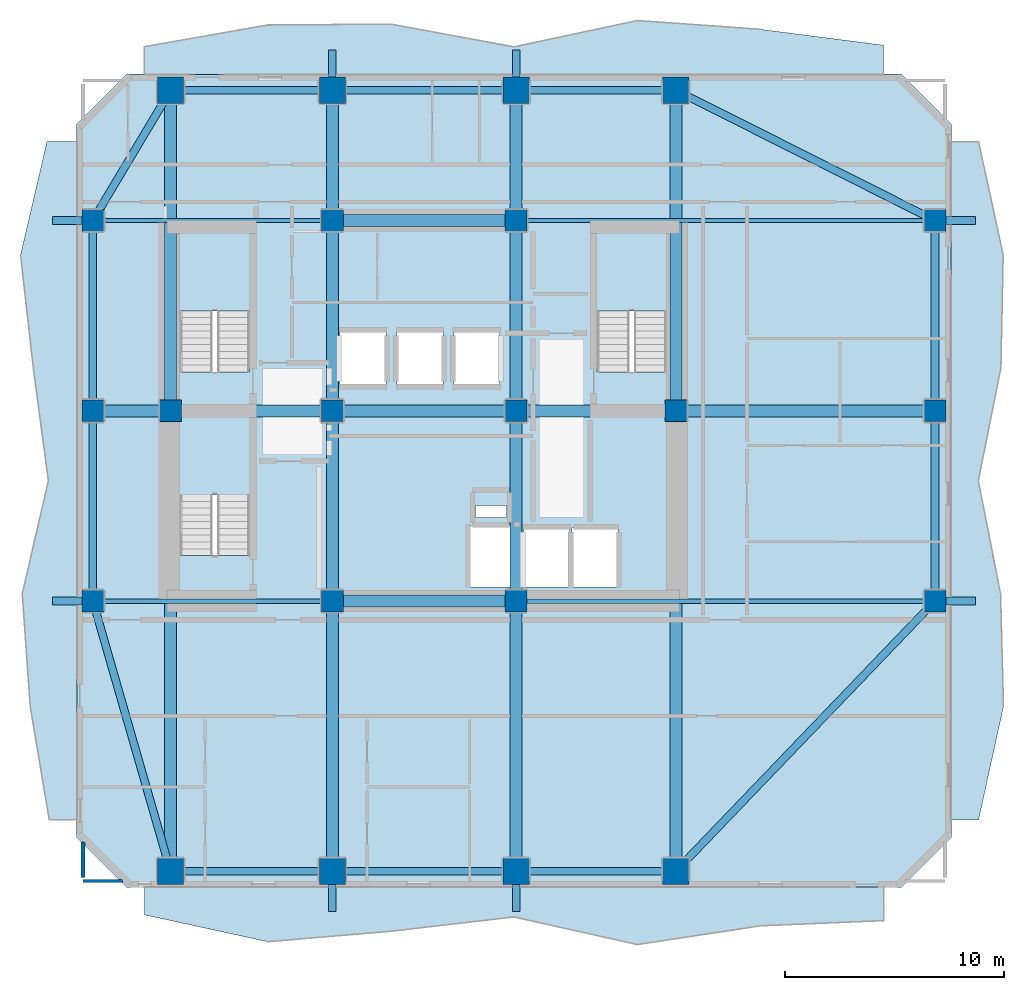
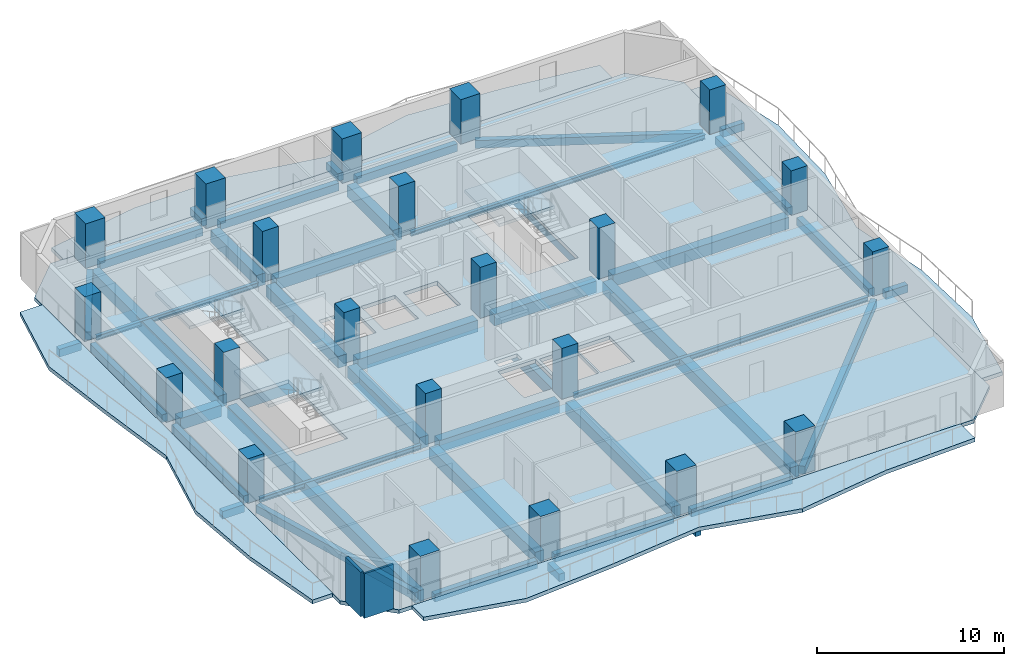
# One storey, part 1 of 9: 45 beams, 22 columns, 8 slabs, 2 walls, 3 elements without a shape of their own.
"""IFC4 building model written with IfcOpenShell, lengths in metres."""

from ifc_helpers import new_model, si_unit, direction, frame, frame_2d, origin, origin_2d, place, context, subcontext, project, spatial, polyline, rectangle, i_section, outline, extrude, material, layer, layer_set, material_profile, profile_set, type_object, element, aggregate, save


model = new_model("IFC4")

# Units and contexts
model_context = context("Model", 3, precision=1e-05, world=origin(), true_north=direction((0.0, 1.0)))
body_context = subcontext(model_context, "Body", "Model", "MODEL_VIEW")
ifc_project = project(units=[si_unit("LENGTHUNIT", "METRE"), si_unit("AREAUNIT", "SQUARE_METRE"), si_unit("VOLUMEUNIT", "CUBIC_METRE"), si_unit("PLANEANGLEUNIT", "RADIAN"), si_unit("MASSUNIT", "GRAM", prefix="KILO")], contexts=[model_context])

# Site, building, storey
site_placement = place(None, origin())
site = spatial("IfcSite", under=ifc_project, at=site_placement, CompositionType="ELEMENT")
building_placement = place(site_placement, origin())
building = spatial("IfcBuilding", under=site, at=building_placement, Name="Solanera Arch Residences", CompositionType="ELEMENT")
storey_placement = place(building_placement, frame((0.0, 0.0, 142.60009765625)))
storey = spatial("IfcBuildingStorey", under=building, at=storey_placement, Name="L41", CompositionType="ELEMENT", Elevation=142.60009765625)

# Columns
ifc_material_1 = material(Name="Concrete C55/67 (f'c = 60 MPa)", Category="concrete")
ifc_material_profile_1 = material_profile(ifc_material_1, rectangle(XDim=1.0, YDim=1.0, at=origin_2d()))
ifc_profile_set_1 = profile_set([ifc_material_profile_1], Name="Concrete C55/67 (f'c = 60 MPa)")
column_type_1 = type_object("IfcColumnType", Name="Structural Column RC-COL-1000X1000", PredefinedType="COLUMN", material=ifc_profile_set_1)
for number, where, z_axis, x_axis, name in (
    (1, (20.800048828125, 22.0, 0.0), (0.0, 0.0, 1.0), (1.0, 0.0, 0.0), "COL-L41-CB-SW"),
    (2, (29.199951171875, 22.0, 0.0), (0.0, 0.0, 1.0), (1.0, 0.0, 0.0), "COL-L41-CB-SE"),
    (3, (20.800048828125, 39.39990234375, 0.0), (0.0, 0.0, 1.0), (1.0, 0.0, 0.0), "COL-L41-CB-NW"),
    (4, (29.199951171875, 39.39990234375, 0.0), (0.0, 0.0, 1.0), (1.0, 0.0, 0.0), "COL-L41-CB-NE"),
    (5, (13.39990234375, 30.699951171875, 0.0), (0.0, 0.0, 1.0), (1.0, 0.0, 0.0), "COL-L41-CB-WW"),
    (6, (36.5, 30.699951171875, 0.0), (0.0, 0.0, 1.0), (1.0, 0.0, 0.0), "COL-L41-CB-EE"),
    (7, (20.800048828125, 30.699951171875, 0.0), (0.0, 0.0, 1.0), (1.0, 0.0, 0.0), "COL-L41-CORE-W"),
    (8, (29.199951171875, 30.699951171875, 0.0), (0.0, 0.0, 1.0), (1.0, 0.0, 0.0), "COL-L41-CORE-E"),
):
    element("IfcColumn", number, at=place(storey_placement, frame(where, z_axis=z_axis, x_axis=x_axis)), inside=storey, type_object=column_type_1, Name=name, PredefinedType="COLUMN", context=body_context, shape_type="SweptSolid", body=[
        extrude(rectangle(XDim=1.0, YDim=1.0, at=origin_2d()), origin(), (0.0, 0.0, 1.0), 3.31982421875),
    ])
for number, where, z_axis, x_axis, name in (
    (9, (9.85009765625, 22.0, 0.0), (0.0, 0.0, 1.0), (1.0, 0.0, 0.0), "COL-L41-TWR-09"),
    (10, (48.35009765625, 22.0, 0.0), (0.0, 0.0, 1.0), (1.0, 0.0, 0.0), "COL-L41-TWR-10"),
    (11, (9.85009765625, 30.699951171875, 0.0), (0.0, 0.0, 1.0), (1.0, 0.0, 0.0), "COL-L41-TWR-11"),
    (12, (48.35009765625, 30.699951171875, 0.0), (0.0, 0.0, 1.0), (1.0, 0.0, 0.0), "COL-L41-TWR-12"),
    (13, (9.85009765625, 39.39990234375, 0.0), (0.0, 0.0, 1.0), (1.0, 0.0, 0.0), "COL-L41-TWR-13"),
    (14, (48.35009765625, 39.39990234375, 0.0), (0.0, 0.0, 1.0), (1.0, 0.0, 0.0), "COL-L41-TWR-14"),
):
    element("IfcColumn", number, at=place(storey_placement, frame(where, z_axis=z_axis, x_axis=x_axis)), inside=storey, type_object=column_type_1, Name=name, PredefinedType="COLUMN", context=body_context, shape_type="SweptSolid", body=[
        extrude(rectangle(XDim=1.0, YDim=1.0, at=origin_2d()), origin(), (0.0, 0.0, 1.0), 2.89990234375),
    ])
ifc_material_2 = material(Name="Concrete C55/67 (f'c = 60 MPa)", Category="concrete")
ifc_material_profile_2 = material_profile(ifc_material_2, rectangle(XDim=1.199951171875, YDim=1.199951171875, at=origin_2d()))
ifc_profile_set_2 = profile_set([ifc_material_profile_2], Name="Concrete C55/67 (f'c = 60 MPa)")
column_type_2 = type_object("IfcColumnType", Name="Structural Column RC-COL-1200X1200", PredefinedType="COLUMN", material=ifc_profile_set_2)
for number, where, z_axis, x_axis, name in (
    (15, (13.39990234375, 9.64990234375, 0.0), (0.0, 0.0, 1.0), (1.0, 0.0, 0.0), "COL-L41-TWR-01"),
    (16, (13.39990234375, 45.35009765625, 0.0), (0.0, 0.0, 1.0), (1.0, 0.0, 0.0), "COL-L41-TWR-02"),
    (17, (20.800048828125, 9.64990234375, 0.0), (0.0, 0.0, 1.0), (1.0, 0.0, 0.0), "COL-L41-TWR-03"),
    (18, (20.800048828125, 45.35009765625, 0.0), (0.0, 0.0, 1.0), (1.0, 0.0, 0.0), "COL-L41-TWR-04"),
    (19, (29.199951171875, 9.64990234375, 0.0), (0.0, 0.0, 1.0), (1.0, 0.0, 0.0), "COL-L41-TWR-05"),
    (20, (29.199951171875, 45.35009765625, 0.0), (0.0, 0.0, 1.0), (1.0, 0.0, 0.0), "COL-L41-TWR-06"),
    (21, (36.5, 9.64990234375, 0.0), (0.0, 0.0, 1.0), (1.0, 0.0, 0.0), "COL-L41-TWR-07"),
    (22, (36.5, 45.35009765625, 0.0), (0.0, 0.0, 1.0), (1.0, 0.0, 0.0), "COL-L41-TWR-08"),
):
    element("IfcColumn", number, at=place(storey_placement, frame(where, z_axis=z_axis, x_axis=x_axis)), inside=storey, type_object=column_type_2, Name=name, PredefinedType="COLUMN", context=body_context, shape_type="SweptSolid", body=[
        extrude(rectangle(XDim=1.199951171875, YDim=1.199951171875, at=origin_2d()), origin(), (0.0, 0.0, 1.0), 2.89990234375),
    ])

# Beams
ifc_material_3 = material(Name="Concrete C40/50 (f'c = 45 MPa)", Category="concrete")
ifc_material_profile_3 = material_profile(ifc_material_3, rectangle(XDim=0.35009765625, YDim=0.5, at=origin_2d()))
ifc_profile_set_3 = profile_set([ifc_material_profile_3], Name="Concrete C40/50 (f'c = 45 MPa)")
beam_type_1 = type_object("IfcBeamType", Name="BM-BALC-RIB", PredefinedType="BEAM", material=ifc_profile_set_3)
for number, where, z_axis, x_axis, name in (
    (23, (20.800048828125, 7.800048828125, -0.5), (0.0, 1.0, 0.0), (-1.0, 0.0, 0.0), "BM-L41-BRIB-S1"),
    (24, (29.199951171875, 7.800048828125, -0.5), (0.0, 1.0, 0.0), (-1.0, 0.0, 0.0), "BM-L41-BRIB-S2"),
    (25, (20.800048828125, 45.949951171875, -0.5), (0.0, 1.0, 0.0), (-1.0, 0.0, 0.0), "BM-L41-BRIB-N1"),
    (26, (29.199951171875, 45.949951171875, -0.5), (0.0, 1.0, 0.0), (-1.0, 0.0, 0.0), "BM-L41-BRIB-N2"),
):
    element("IfcBeam", number, at=place(storey_placement, frame(where, z_axis=z_axis, x_axis=x_axis)), inside=storey, type_object=beam_type_1, Name=name, PredefinedType="BEAM", context=body_context, shape_type="SweptSolid", body=[
        extrude(rectangle(XDim=0.35009765625, YDim=0.5, at=origin_2d()), origin(), (0.0, 0.0, 1.0), 1.25),
    ])
for number, where, z_axis, x_axis, name in (
    (27, (48.85009765625, 22.0, -0.5), (1.0, 0.0, 0.0), (0.0, 1.0, 0.0), "BM-L41-BRIB-E1"),
    (28, (48.85009765625, 39.39990234375, -0.5), (1.0, 0.0, 0.0), (0.0, 1.0, 0.0), "BM-L41-BRIB-E2"),
):
    element("IfcBeam", number, at=place(storey_placement, frame(where, z_axis=z_axis, x_axis=x_axis)), inside=storey, type_object=beam_type_1, Name=name, PredefinedType="BEAM", context=body_context, shape_type="SweptSolid", body=[
        extrude(rectangle(XDim=0.35009765625, YDim=0.5, at=origin_2d()), origin(), (0.0, 0.0, 1.0), 1.349853515625),
    ])
for number, where, z_axis, x_axis, name in (
    (29, (8.0, 22.0, -0.5), (1.0, 0.0, 0.0), (0.0, 1.0, 0.0), "BM-L41-BRIB-W1"),
    (30, (8.0, 39.39990234375, -0.5), (1.0, 0.0, 0.0), (0.0, 1.0, 0.0), "BM-L41-BRIB-W2"),
):
    element("IfcBeam", number, at=place(storey_placement, frame(where, z_axis=z_axis, x_axis=x_axis)), inside=storey, type_object=beam_type_1, Name=name, PredefinedType="BEAM", context=body_context, shape_type="SweptSolid", body=[
        extrude(rectangle(XDim=0.35009765625, YDim=0.5, at=origin_2d()), origin(), (0.0, 0.0, 1.0), 1.35009765625),
    ])
ifc_material_4 = material(Name="Concrete C40/50 (f'c = 45 MPa)", Category="concrete")
ifc_material_profile_4 = material_profile(ifc_material_4, rectangle(XDim=0.550048828125, YDim=0.75, at=origin_2d()))
ifc_profile_set_4 = profile_set([ifc_material_profile_4], Name="Concrete C40/50 (f'c = 45 MPa)")
beam_type_2 = type_object("IfcBeamType", Name="Primary Beam RC-BM-550X750", PredefinedType="BEAM", material=ifc_profile_set_4)
beam_1_placement = place(storey_placement, frame((20.800048828125, 22.50390625, -0.614990234375), z_axis=(0.0, 1.0, 0.0), x_axis=(-1.0, 0.0, 0.0)))
element("IfcBeam", 31, at=beam_1_placement, inside=storey, type_object=beam_type_2, Name="BM-L41-CC-S-208", PredefinedType="BEAM", context=body_context, shape_type="SweptSolid", body=[
    extrude(rectangle(XDim=0.550048828125, YDim=0.75, at=origin_2d()), origin(), (0.0, 0.0, 1.0), 7.692138671875),
])
beam_2_placement = place(storey_placement, frame((20.800048828125, 31.2041015625, -0.614990234375), z_axis=(0.0, 1.0, 0.0), x_axis=(-1.0, 0.0, 0.0)))
element("IfcBeam", 32, at=beam_2_placement, inside=storey, type_object=beam_type_2, Name="BM-L41-CC-N-208", PredefinedType="BEAM", context=body_context, shape_type="SweptSolid", body=[
    extrude(rectangle(XDim=0.550048828125, YDim=0.75, at=origin_2d()), origin(), (0.0, 0.0, 1.0), 7.69189453125),
])
beam_3_placement = place(storey_placement, frame((29.199951171875, 22.50390625, -0.614990234375), z_axis=(0.0, 1.0, 0.0), x_axis=(-1.0, 0.0, 0.0)))
element("IfcBeam", 33, at=beam_3_placement, inside=storey, type_object=beam_type_2, Name="BM-L41-CC-S-292", PredefinedType="BEAM", context=body_context, shape_type="SweptSolid", body=[
    extrude(rectangle(XDim=0.550048828125, YDim=0.75, at=origin_2d()), origin(), (0.0, 0.0, 1.0), 7.692138671875),
])
beam_4_placement = place(storey_placement, frame((29.199951171875, 31.2041015625, -0.614990234375), z_axis=(0.0, 1.0, 0.0), x_axis=(-1.0, 0.0, 0.0)))
element("IfcBeam", 34, at=beam_4_placement, inside=storey, type_object=beam_type_2, Name="BM-L41-CC-N-292", PredefinedType="BEAM", context=body_context, shape_type="SweptSolid", body=[
    extrude(rectangle(XDim=0.550048828125, YDim=0.75, at=origin_2d()), origin(), (0.0, 0.0, 1.0), 7.69189453125),
])
for number, where, z_axis, x_axis, name in (
    (35, (21.303955078125, 22.0, -0.614990234375), (1.0, 0.0, 0.0), (0.0, 1.0, 0.0), "BM-L41-CC-M-220"),
    (36, (21.303955078125, 30.699951171875, -0.614990234375), (1.0, 0.0, 0.0), (0.0, 1.0, 0.0), "BM-L41-CC-M-307"),
    (37, (21.303955078125, 39.39990234375, -0.614990234375), (1.0, 0.0, 0.0), (0.0, 1.0, 0.0), "BM-L41-CC-M-394"),
):
    element("IfcBeam", number, at=place(storey_placement, frame(where, z_axis=z_axis, x_axis=x_axis)), inside=storey, type_object=beam_type_2, Name=name, PredefinedType="BEAM", context=body_context, shape_type="SweptSolid", body=[
        extrude(rectangle(XDim=0.550048828125, YDim=0.75, at=origin_2d()), origin(), (0.0, 0.0, 1.0), 7.39208984375),
    ])
beam_5_placement = place(storey_placement, frame((13.904052734375, 30.699951171875, -0.614990234375), z_axis=(1.0, 0.0, 0.0), x_axis=(0.0, 1.0, 0.0)))
element("IfcBeam", 38, at=beam_5_placement, inside=storey, type_object=beam_type_2, Name="BM-L41-CC-W", PredefinedType="BEAM", context=body_context, shape_type="SweptSolid", body=[
    extrude(rectangle(XDim=0.550048828125, YDim=0.75, at=origin_2d()), origin(), (0.0, 0.0, 1.0), 6.391845703125),
])
beam_6_placement = place(storey_placement, frame((29.7041015625, 30.699951171875, -0.614990234375), z_axis=(1.0, 0.0, 0.0), x_axis=(0.0, 1.0, 0.0)))
element("IfcBeam", 39, at=beam_6_placement, inside=storey, type_object=beam_type_2, Name="BM-L41-CC-E", PredefinedType="BEAM", context=body_context, shape_type="SweptSolid", body=[
    extrude(rectangle(XDim=0.550048828125, YDim=0.75, at=origin_2d()), origin(), (0.0, 0.0, 1.0), 6.2919921875),
])
beam_7_placement = place(storey_placement, frame((20.800048828125, 10.18994140625, -0.614990234375), z_axis=(0.0, 1.0, 0.0), x_axis=(-1.0, 0.0, 0.0)))
element("IfcBeam", 40, at=beam_7_placement, inside=storey, type_object=beam_type_2, Name="BM-L41-RAD-S-208", PredefinedType="BEAM", context=body_context, shape_type="SweptSolid", body=[
    extrude(rectangle(XDim=0.550048828125, YDim=0.75, at=origin_2d()), origin(), (0.0, 0.0, 1.0), 11.30615234375),
])
beam_8_placement = place(storey_placement, frame((20.800048828125, 39.904052734375, -0.614990234375), z_axis=(0.0, 1.0, 0.0), x_axis=(-1.0, 0.0, 0.0)))
element("IfcBeam", 41, at=beam_8_placement, inside=storey, type_object=beam_type_2, Name="BM-L41-RAD-N-208", PredefinedType="BEAM", context=body_context, shape_type="SweptSolid", body=[
    extrude(rectangle(XDim=0.550048828125, YDim=0.75, at=origin_2d()), origin(), (0.0, 0.0, 1.0), 4.906005859375),
])
beam_9_placement = place(storey_placement, frame((29.199951171875, 10.18994140625, -0.614990234375), z_axis=(0.0, 1.0, 0.0), x_axis=(-1.0, 0.0, 0.0)))
element("IfcBeam", 42, at=beam_9_placement, inside=storey, type_object=beam_type_2, Name="BM-L41-RAD-S-292", PredefinedType="BEAM", context=body_context, shape_type="SweptSolid", body=[
    extrude(rectangle(XDim=0.550048828125, YDim=0.75, at=origin_2d()), origin(), (0.0, 0.0, 1.0), 11.30615234375),
])
beam_10_placement = place(storey_placement, frame((29.199951171875, 39.904052734375, -0.614990234375), z_axis=(0.0, 1.0, 0.0), x_axis=(-1.0, 0.0, 0.0)))
element("IfcBeam", 43, at=beam_10_placement, inside=storey, type_object=beam_type_2, Name="BM-L41-RAD-N-292", PredefinedType="BEAM", context=body_context, shape_type="SweptSolid", body=[
    extrude(rectangle(XDim=0.550048828125, YDim=0.75, at=origin_2d()), origin(), (0.0, 0.0, 1.0), 4.906005859375),
])
beam_11_placement = place(storey_placement, frame((13.39990234375, 10.18994140625, -0.614990234375), z_axis=(0.0, 1.0, 0.0), x_axis=(-1.0, 0.0, 0.0)))
element("IfcBeam", 44, at=beam_11_placement, inside=storey, type_object=beam_type_2, Name="BM-L41-RAD-OS-134", PredefinedType="BEAM", context=body_context, shape_type="SweptSolid", body=[
    extrude(rectangle(XDim=0.550048828125, YDim=0.75, at=origin_2d()), origin(), (0.0, 0.0, 1.0), 20.006103515625),
])
beam_12_placement = place(storey_placement, frame((13.39990234375, 31.2041015625, -0.614990234375), z_axis=(0.0, 1.0, 0.0), x_axis=(-1.0, 0.0, 0.0)))
element("IfcBeam", 45, at=beam_12_placement, inside=storey, type_object=beam_type_2, Name="BM-L41-RAD-ON-134", PredefinedType="BEAM", context=body_context, shape_type="SweptSolid", body=[
    extrude(rectangle(XDim=0.550048828125, YDim=0.75, at=origin_2d()), origin(), (0.0, 0.0, 1.0), 13.60595703125),
])
beam_13_placement = place(storey_placement, frame((36.5, 10.18994140625, -0.614990234375), z_axis=(0.0, 1.0, 0.0), x_axis=(-1.0, 0.0, 0.0)))
element("IfcBeam", 46, at=beam_13_placement, inside=storey, type_object=beam_type_2, Name="BM-L41-RAD-OS-365", PredefinedType="BEAM", context=body_context, shape_type="SweptSolid", body=[
    extrude(rectangle(XDim=0.550048828125, YDim=0.75, at=origin_2d()), origin(), (0.0, 0.0, 1.0), 20.006103515625),
])
beam_14_placement = place(storey_placement, frame((36.5, 31.2041015625, -0.614990234375), z_axis=(0.0, 1.0, 0.0), x_axis=(-1.0, 0.0, 0.0)))
element("IfcBeam", 47, at=beam_14_placement, inside=storey, type_object=beam_type_2, Name="BM-L41-RAD-ON-365", PredefinedType="BEAM", context=body_context, shape_type="SweptSolid", body=[
    extrude(rectangle(XDim=0.550048828125, YDim=0.75, at=origin_2d()), origin(), (0.0, 0.0, 1.0), 13.60595703125),
])
beam_15_placement = place(storey_placement, frame((10.35400390625, 30.699951171875, -0.614990234375), z_axis=(1.0, 0.0, 0.0), x_axis=(0.0, 1.0, 0.0)))
element("IfcBeam", 48, at=beam_15_placement, inside=storey, type_object=beam_type_2, Name="BM-L41-RAD-MW", PredefinedType="BEAM", context=body_context, shape_type="SweptSolid", body=[
    extrude(rectangle(XDim=0.550048828125, YDim=0.75, at=origin_2d()), origin(), (0.0, 0.0, 1.0), 2.5419921875),
])
beam_16_placement = place(storey_placement, frame((37.00390625, 30.699951171875, -0.614990234375), z_axis=(1.0, 0.0, 0.0), x_axis=(0.0, 1.0, 0.0)))
element("IfcBeam", 49, at=beam_16_placement, inside=storey, type_object=beam_type_2, Name="BM-L41-RAD-ME", PredefinedType="BEAM", context=body_context, shape_type="SweptSolid", body=[
    extrude(rectangle(XDim=0.550048828125, YDim=0.75, at=origin_2d()), origin(), (0.0, 0.0, 1.0), 10.842041015625),
])
ifc_material_5 = material(Name="Steel S355 (ASTM A992 / A572 Grade 50)", Category="steel")
ifc_material_profile_5 = material_profile(ifc_material_5, i_section(OverallWidth=0.202880859375, OverallDepth=0.302978515625, WebThickness=0.007568359375, FlangeThickness=0.01318359375, at=origin_2d()))
ifc_profile_set_5 = profile_set([ifc_material_profile_5], Name="Steel S355 (ASTM A992 / A572 Grade 50)")
beam_type_3 = type_object("IfcBeamType", Name="Secondary Joist W310X60", PredefinedType="JOIST", material=ifc_profile_set_5)
beam_17_placement = place(storey_placement, frame((10.35400390625, 22.0, -0.39111328125), z_axis=(1.0, 0.0, 0.0), x_axis=(0.0, 1.0, 0.0)))
element("IfcBeam", 50, at=beam_17_placement, inside=storey, type_object=beam_type_3, Name="BM-L41-RAD-W-220", PredefinedType="JOIST", context=body_context, shape_type="SweptSolid", body=[
    extrude(i_section(OverallWidth=0.202880859375, OverallDepth=0.302978515625, WebThickness=0.007568359375, FlangeThickness=0.01318359375, at=origin_2d()), origin(), (0.0, 0.0, 1.0), 9.94189453125),
])
beam_18_placement = place(storey_placement, frame((29.7041015625, 22.0, -0.39111328125), z_axis=(1.0, 0.0, 0.0), x_axis=(0.0, 1.0, 0.0)))
element("IfcBeam", 51, at=beam_18_placement, inside=storey, type_object=beam_type_3, Name="BM-L41-RAD-E-220", PredefinedType="JOIST", context=body_context, shape_type="SweptSolid", body=[
    extrude(i_section(OverallWidth=0.202880859375, OverallDepth=0.302978515625, WebThickness=0.007568359375, FlangeThickness=0.01318359375, at=origin_2d()), origin(), (0.0, 0.0, 1.0), 18.141845703125),
])
beam_19_placement = place(storey_placement, frame((10.35400390625, 39.39990234375, -0.39111328125), z_axis=(1.0, 0.0, 0.0), x_axis=(0.0, 1.0, 0.0)))
element("IfcBeam", 52, at=beam_19_placement, inside=storey, type_object=beam_type_3, Name="BM-L41-RAD-W-394", PredefinedType="JOIST", context=body_context, shape_type="SweptSolid", body=[
    extrude(i_section(OverallWidth=0.202880859375, OverallDepth=0.302978515625, WebThickness=0.007568359375, FlangeThickness=0.01318359375, at=origin_2d()), origin(), (0.0, 0.0, 1.0), 9.94189453125),
])
beam_20_placement = place(storey_placement, frame((29.7041015625, 39.39990234375, -0.39111328125), z_axis=(1.0, 0.0, 0.0), x_axis=(0.0, 1.0, 0.0)))
element("IfcBeam", 53, at=beam_20_placement, inside=storey, type_object=beam_type_3, Name="BM-L41-RAD-E-394", PredefinedType="JOIST", context=body_context, shape_type="SweptSolid", body=[
    extrude(i_section(OverallWidth=0.202880859375, OverallDepth=0.302978515625, WebThickness=0.007568359375, FlangeThickness=0.01318359375, at=origin_2d()), origin(), (0.0, 0.0, 1.0), 18.141845703125),
])
ifc_material_6 = material(Name="Concrete C40/50 (f'c = 45 MPa)", Category="concrete")
ifc_material_profile_6 = material_profile(ifc_material_6, rectangle(XDim=0.35009765625, YDim=0.5, at=origin_2d()))
ifc_profile_set_6 = profile_set([ifc_material_profile_6], Name="Concrete C40/50 (f'c = 45 MPa)")
beam_type_4 = type_object("IfcBeamType", Name="Spandrel Beam RC-BM-350X500", PredefinedType="SPANDREL", material=ifc_profile_set_6)
for number, where, z_axis, x_axis, name in (
    (54, (13.93994140625, 9.64990234375, -0.489990234375), (1.0, 0.0, 0.0), (0.0, 1.0, 0.0), "BM-L41-SPN-S-1"),
    (55, (13.93994140625, 45.35009765625, -0.489990234375), (1.0, 0.0, 0.0), (0.0, 1.0, 0.0), "BM-L41-SPN-N-1"),
):
    element("IfcBeam", number, at=place(storey_placement, frame(where, z_axis=z_axis, x_axis=x_axis)), inside=storey, type_object=beam_type_4, Name=name, PredefinedType="SPANDREL", context=body_context, shape_type="SweptSolid", body=[
        extrude(rectangle(XDim=0.35009765625, YDim=0.5, at=origin_2d()), origin(), (0.0, 0.0, 1.0), 6.320068359375),
    ])
for number, where, z_axis, x_axis, name in (
    (56, (21.340087890625, 9.64990234375, -0.489990234375), (1.0, 0.0, 0.0), (0.0, 1.0, 0.0), "BM-L41-SPN-S-2"),
    (57, (21.340087890625, 45.35009765625, -0.489990234375), (1.0, 0.0, 0.0), (0.0, 1.0, 0.0), "BM-L41-SPN-N-2"),
):
    element("IfcBeam", number, at=place(storey_placement, frame(where, z_axis=z_axis, x_axis=x_axis)), inside=storey, type_object=beam_type_4, Name=name, PredefinedType="SPANDREL", context=body_context, shape_type="SweptSolid", body=[
        extrude(rectangle(XDim=0.35009765625, YDim=0.5, at=origin_2d()), origin(), (0.0, 0.0, 1.0), 7.31982421875),
    ])
for number, where, z_axis, x_axis, name in (
    (58, (29.739990234375, 9.64990234375, -0.489990234375), (1.0, 0.0, 0.0), (0.0, 1.0, 0.0), "BM-L41-SPN-S-3"),
    (59, (29.739990234375, 45.35009765625, -0.489990234375), (1.0, 0.0, 0.0), (0.0, 1.0, 0.0), "BM-L41-SPN-N-3"),
):
    element("IfcBeam", number, at=place(storey_placement, frame(where, z_axis=z_axis, x_axis=x_axis)), inside=storey, type_object=beam_type_4, Name=name, PredefinedType="SPANDREL", context=body_context, shape_type="SweptSolid", body=[
        extrude(rectangle(XDim=0.35009765625, YDim=0.5, at=origin_2d()), origin(), (0.0, 0.0, 1.0), 6.219970703125),
    ])
for number, where, z_axis, x_axis, name in (
    (60, (9.85009765625, 22.50390625, -0.489990234375), (0.0, 1.0, 0.0), (-1.0, 0.0, 0.0), "BM-L41-SPN-W-1"),
    (61, (48.35009765625, 22.50390625, -0.489990234375), (0.0, 1.0, 0.0), (-1.0, 0.0, 0.0), "BM-L41-SPN-E-1"),
):
    element("IfcBeam", number, at=place(storey_placement, frame(where, z_axis=z_axis, x_axis=x_axis)), inside=storey, type_object=beam_type_4, Name=name, PredefinedType="SPANDREL", context=body_context, shape_type="SweptSolid", body=[
        extrude(rectangle(XDim=0.35009765625, YDim=0.5, at=origin_2d()), origin(), (0.0, 0.0, 1.0), 7.692138671875),
    ])
for number, where, z_axis, x_axis, name in (
    (62, (9.85009765625, 31.2041015625, -0.489990234375), (0.0, 1.0, 0.0), (-1.0, 0.0, 0.0), "BM-L41-SPN-W-2"),
    (63, (48.35009765625, 31.2041015625, -0.489990234375), (0.0, 1.0, 0.0), (-1.0, 0.0, 0.0), "BM-L41-SPN-E-2"),
):
    element("IfcBeam", number, at=place(storey_placement, frame(where, z_axis=z_axis, x_axis=x_axis)), inside=storey, type_object=beam_type_4, Name=name, PredefinedType="SPANDREL", context=body_context, shape_type="SweptSolid", body=[
        extrude(rectangle(XDim=0.35009765625, YDim=0.5, at=origin_2d()), origin(), (0.0, 0.0, 1.0), 7.69189453125),
    ])
beam_21_placement = place(storey_placement, frame((13.2509765625, 10.1689453125, -0.489990234375), z_axis=(-0.276252894432, 0.961084979759, 0.0), x_axis=(-0.961084979759, -0.276252894432, 0.0)))
element("IfcBeam", 64, at=beam_21_placement, inside=storey, type_object=beam_type_4, Name="BM-L41-SPN-SW", PredefinedType="SPANDREL", context=body_context, shape_type="SweptSolid", body=[
    extrude(rectangle(XDim=0.35009765625, YDim=0.5, at=origin_2d()), origin(), (0.0, 0.0, 1.0), 11.785888671875),
])
beam_22_placement = place(storey_placement, frame((13.123046875, 44.885986328125, -0.489990234375), z_axis=(-0.512345287807, -0.858779544506, 0.0), x_axis=(0.858779544506, -0.512345287807, 0.0)))
element("IfcBeam", 65, at=beam_22_placement, inside=storey, type_object=beam_type_4, Name="BM-L41-SPN-NW", PredefinedType="SPANDREL", context=body_context, shape_type="SweptSolid", body=[
    extrude(rectangle(XDim=0.35009765625, YDim=0.5, at=origin_2d()), origin(), (0.0, 0.0, 1.0), 5.847900390625),
])
beam_23_placement = place(storey_placement, frame((36.8740234375, 10.0400390625, -0.489990234375), z_axis=(0.692362566924, 0.721549773697, 0.0), x_axis=(-0.721549773697, 0.692362566924, 0.0)))
element("IfcBeam", 66, at=beam_23_placement, inside=storey, type_object=beam_type_4, Name="BM-L41-SPN-SE", PredefinedType="SPANDREL", context=body_context, shape_type="SweptSolid", body=[
    extrude(rectangle(XDim=0.35009765625, YDim=0.5, at=origin_2d()), origin(), (0.0, 0.0, 1.0), 16.034912109375),
])
beam_24_placement = place(storey_placement, frame((36.98291015625, 45.10791015625, -0.489990234375), z_axis=(0.893644053725, -0.448776453529, 0.0), x_axis=(0.448776453529, 0.893644053725, 0.0)))
element("IfcBeam", 67, at=beam_24_placement, inside=storey, type_object=beam_type_4, Name="BM-L41-SPN-NE", PredefinedType="SPANDREL", context=body_context, shape_type="SweptSolid", body=[
    extrude(rectangle(XDim=0.35009765625, YDim=0.5, at=origin_2d()), origin(), (0.0, 0.0, 1.0), 12.179443359375),
])

# Slabs
ifc_material_7 = material(Name="Concrete C40/50 (f'c = 45 MPa)", Category="concrete")
ifc_layer_1 = layer(ifc_material_7, 0.25)
ifc_layer_set_1 = layer_set([ifc_layer_1], Name="Concrete C40/50 (f'c = 45 MPa)")
slab_type_1 = type_object("IfcSlabType", Name="Balcony Slab 250", PredefinedType="FLOOR", material=ifc_layer_set_1)
slab_1_placement = place(storey_placement, frame((0.0, 0.0, -0.25)))
element("IfcSlab", 68, at=slab_1_placement, inside=storey, type_object=slab_type_1, Name="L41 S Rippling Brise-Soleil Balcony Slab", PredefinedType="FLOOR", context=body_context, shape_type="SweptSolid", body=[
    extrude(outline(polyline([(12.199951171875, 7.654052734375), (17.8330078125, 6.426025390625), (23.467041015625, 6.904052734375), (29.10009765625, 7.56005859375), (34.73291015625, 6.297119140625), (40.366943359375, 7.153076171875), (46.0, 7.39208984375), (46.0, 8.919921875), (12.199951171875, 8.919921875), (12.199951171875, 7.654052734375)])), origin(), (0.0, 0.0, 1.0), 0.25),
])
slab_2_placement = place(storey_placement, frame((0.0, 0.0, -0.25)))
element("IfcSlab", 69, at=slab_2_placement, inside=storey, type_object=slab_type_1, Name="L41 N Rippling Brise-Soleil Balcony Slab", PredefinedType="FLOOR", context=body_context, shape_type="SweptSolid", body=[
    extrude(outline(polyline([(46.0, 47.416015625), (40.366943359375, 48.14208984375), (34.73291015625, 48.5419921875), (29.10009765625, 47.3369140625), (23.467041015625, 48.37890625), (17.8330078125, 48.3369140625), (12.199951171875, 47.345947265625), (12.199951171875, 46.080078125), (46.0, 46.080078125), (46.0, 47.416015625)])), origin(), (0.0, 0.0, 1.0), 0.25),
])
slab_3_placement = place(storey_placement, frame((0.0, 0.0, -0.25)))
element("IfcSlab", 70, at=slab_3_placement, inside=storey, type_object=slab_type_1, Name="L41 E Rippling Brise-Soleil Balcony Slab", PredefinedType="FLOOR", context=body_context, shape_type="SweptSolid", body=[
    extrude(outline(polyline([(50.345947265625, 12.0), (51.47998046875, 17.1669921875), (51.345947265625, 22.3330078125), (50.330078125, 27.5), (51.362060546875, 32.6669921875), (51.465087890625, 37.8330078125), (50.342041015625, 43.0), (49.080078125, 43.0), (49.080078125, 12.0), (50.345947265625, 12.0)])), origin(), (0.0, 0.0, 1.0), 0.25),
])
slab_4_placement = place(storey_placement, frame((0.0, 0.0, -0.25)))
element("IfcSlab", 71, at=slab_4_placement, inside=storey, type_object=slab_type_1, Name="L41 W Rippling Brise-Soleil Balcony Slab", PredefinedType="FLOOR", context=body_context, shape_type="SweptSolid", body=[
    extrude(outline(polyline([(7.7451171875, 43.0), (6.541015625, 37.8330078125), (7.123046875, 32.6669921875), (7.81201171875, 27.5), (6.6201171875, 22.3330078125), (6.985107421875, 17.1669921875), (7.85400390625, 12.0), (9.1201171875, 12.0), (9.1201171875, 43.0), (7.7451171875, 43.0)])), origin(), (0.0, 0.0, 1.0), 0.25),
])

# Stair, slab
ifc_material_8 = material(Name="Concrete C40/50 (f'c = 45 MPa)", Category="concrete")
stair_type = type_object("IfcStairType", Name="Tower Dogleg Exit Stair 1480", PredefinedType="HALF_TURN_STAIR", material=ifc_material_8)
stair_1_placement = place(storey_placement, origin())
stair_1 = element("IfcStair", 72, at=stair_1_placement, inside=storey, type_object=stair_type, Name="L41 Tower Core Exit Stair 1", PredefinedType="HALF_TURN_STAIR")
ifc_material_9 = material(Name="Concrete C40/50 (f'c = 45 MPa)", Category="concrete")
ifc_layer_2 = layer(ifc_material_9, 0.199951171875)
ifc_layer_set_2 = layer_set([ifc_layer_2], Name="Concrete C40/50 (f'c = 45 MPa)")
slab_type_2 = type_object("IfcSlabType", Name="Stair Half-Landing Slab 200", PredefinedType="LANDING", material=ifc_layer_set_2)
slab_5_placement = place(storey_placement, frame((0.0, 0.0, 1.4599609375)))
slab_5 = element("IfcSlab", 73, at=slab_5_placement, type_object=slab_type_2, Name="ST-T1 landing 1", PredefinedType="LANDING", context=body_context, shape_type="SweptSolid", body=[
    extrude(outline(polyline([(17.1201171875, 35.260009765625), (17.1201171875, 38.919921875), (13.719970703125, 38.919921875), (13.719970703125, 35.260009765625), (17.1201171875, 35.260009765625)])), origin(), (0.0, 0.0, 1.0), 0.199951171875),
])
aggregate(stair_1, [slab_5])

stair_2_placement = place(storey_placement, origin())
stair_2 = element("IfcStair", 74, at=stair_2_placement, inside=storey, type_object=stair_type, Name="L41 Tower Core Exit Stair 2", PredefinedType="HALF_TURN_STAIR")
slab_6_placement = place(storey_placement, frame((0.0, 0.0, 1.4599609375)))
slab_6 = element("IfcSlab", 75, at=slab_6_placement, type_object=slab_type_2, Name="ST-T2 landing 1", PredefinedType="LANDING", context=body_context, shape_type="SweptSolid", body=[
    extrude(outline(polyline([(36.179931640625, 35.260009765625), (36.179931640625, 38.919921875), (32.780029296875, 38.919921875), (32.780029296875, 35.260009765625), (36.179931640625, 35.260009765625)])), origin(), (0.0, 0.0, 1.0), 0.199951171875),
])
aggregate(stair_2, [slab_6])

stair_3_placement = place(storey_placement, origin())
stair_3 = element("IfcStair", 76, at=stair_3_placement, inside=storey, type_object=stair_type, Name="L41 Tower Core Exit Stair 3", PredefinedType="HALF_TURN_STAIR")
slab_7_placement = place(storey_placement, frame((0.0, 0.0, 1.4599609375)))
slab_7 = element("IfcSlab", 77, at=slab_7_placement, type_object=slab_type_2, Name="ST-T3 landing 1", PredefinedType="LANDING", context=body_context, shape_type="SweptSolid", body=[
    extrude(outline(polyline([(17.1201171875, 26.860107421875), (17.1201171875, 30.52001953125), (13.719970703125, 30.52001953125), (13.719970703125, 26.860107421875), (17.1201171875, 26.860107421875)])), origin(), (0.0, 0.0, 1.0), 0.199951171875),
])
aggregate(stair_3, [slab_7])

# Slab
ifc_material_10 = material(Name="Concrete C40/50 (f'c = 45 MPa)", Category="concrete")
ifc_layer_3 = layer(ifc_material_10, 0.239990234375)
ifc_layer_set_3 = layer_set([ifc_layer_3], Name="Concrete C40/50 (f'c = 45 MPa)")
slab_type_3 = type_object("IfcSlabType", Name="Suspended Floor Slab Post-Tensioned 240", PredefinedType="FLOOR", material=ifc_layer_set_3)
slab_8_placement = place(storey_placement, frame((0.0, 0.0, -0.239990234375)))
element("IfcSlab", 78, at=slab_8_placement, inside=storey, type_object=slab_type_3, Name="L41 Tower Post-Tensioned Floor Slab", PredefinedType="FLOOR", context=body_context, shape_type="SweptSolid", body=[
    extrude(outline(polyline([(11.39990234375, 8.89990234375), (46.800048828125, 8.89990234375), (49.10009765625, 11.199951171875), (49.10009765625, 43.800048828125), (46.800048828125, 46.10009765625), (11.39990234375, 46.10009765625), (9.10009765625, 43.800048828125), (9.10009765625, 11.199951171875), (11.39990234375, 8.89990234375)]), holes=[polyline([(13.840087890625, 32.48291015625), (13.840087890625, 38.800048828125), (17.0, 38.800048828125), (17.0, 32.48291015625), (13.840087890625, 32.48291015625)]), polyline([(32.89990234375, 32.48291015625), (32.89990234375, 38.800048828125), (36.06005859375, 38.800048828125), (36.06005859375, 32.48291015625), (32.89990234375, 32.48291015625)]), polyline([(13.840087890625, 24.0830078125), (13.840087890625, 30.39990234375), (17.0, 30.39990234375), (17.0, 24.0830078125), (13.840087890625, 24.0830078125)]), polyline([(21.14990234375, 34.35009765625), (23.25, 34.35009765625), (23.25, 31.85009765625), (21.14990234375, 31.85009765625), (21.14990234375, 34.35009765625)]), polyline([(23.75, 34.35009765625), (25.85009765625, 34.35009765625), (25.85009765625, 31.85009765625), (23.75, 31.85009765625), (23.75, 34.35009765625)]), polyline([(26.35009765625, 34.35009765625), (28.449951171875, 34.35009765625), (28.449951171875, 31.85009765625), (26.35009765625, 31.85009765625), (26.35009765625, 34.35009765625)]), polyline([(29.550048828125, 25.35009765625), (31.64990234375, 25.35009765625), (31.64990234375, 22.64990234375), (29.550048828125, 22.64990234375), (29.550048828125, 25.35009765625)]), polyline([(31.75, 25.35009765625), (33.85009765625, 25.35009765625), (33.85009765625, 22.64990234375), (31.75, 22.64990234375), (31.75, 25.35009765625)]), polyline([(27.050048828125, 25.449951171875), (29.35009765625, 25.449951171875), (29.35009765625, 22.64990234375), (27.050048828125, 22.64990234375), (27.050048828125, 25.449951171875)]), polyline([(27.340087890625, 26.3798828125), (28.760009765625, 26.3798828125), (28.760009765625, 25.820068359375), (27.340087890625, 25.820068359375), (27.340087890625, 26.3798828125)])]), origin(), (0.0, 0.0, 1.0), 0.239990234375),
])

# Walls
ifc_material_11 = material(Name="Autoclaved Aerated Concrete Blockwork", Category="masonry")
ifc_layer_4 = layer(ifc_material_11, 0.179931640625)
ifc_layer_set_4 = layer_set([ifc_layer_4], Name="Autoclaved Aerated Concrete Blockwork")
wall_type_1 = type_object("IfcWallType", Name="Corridor Fire Partition 180", PredefinedType="PARTITIONING", material=ifc_layer_set_4)
wall_1_placement = place(storey_placement, frame((9.39990234375, 9.35791015625, 0.0), z_axis=(0.0, 0.0, 1.0), x_axis=(0.0, 1.0, 0.0)))
element("IfcWall", 79, at=wall_1_placement, inside=storey, type_object=wall_type_1, Name="L41 Interior Partition V6 1", PredefinedType="PARTITIONING", context=body_context, shape_type="SweptSolid", body=[
    extrude(rectangle(XDim=1.63720703125, YDim=0.179931640625, at=frame_2d((0.818603515625, 0.0))), origin(), (0.0, 0.0, 1.0), 2.89990234375),
])
ifc_material_12 = material(Name="Fire-Rated Gypsum Stud Partition", Category="gypsum")
ifc_layer_5 = layer(ifc_material_12, 0.1201171875)
ifc_layer_set_5 = layer_set([ifc_layer_5], Name="Fire-Rated Gypsum Stud Partition")
wall_type_2 = type_object("IfcWallType", Name="Unit Drywall Partition 120", PredefinedType="PARTITIONING", material=ifc_layer_set_5)
wall_2_placement = place(storey_placement, frame((9.39990234375, 9.199951171875, 0.0), z_axis=(0.0, 0.0, 1.0), x_axis=(1.0, 0.0, 0.0)))
element("IfcWall", 80, at=wall_2_placement, inside=storey, type_object=wall_type_2, Name="L41 Interior Partition H17 1", PredefinedType="PARTITIONING", context=body_context, shape_type="SweptSolid", body=[
    extrude(rectangle(XDim=1.795166015625, YDim=0.1201171875, at=frame_2d((0.8974609375, 0.0))), origin(), (0.0, 0.0, 1.0), 2.89990234375),
])

save(model, "model.ifc")
